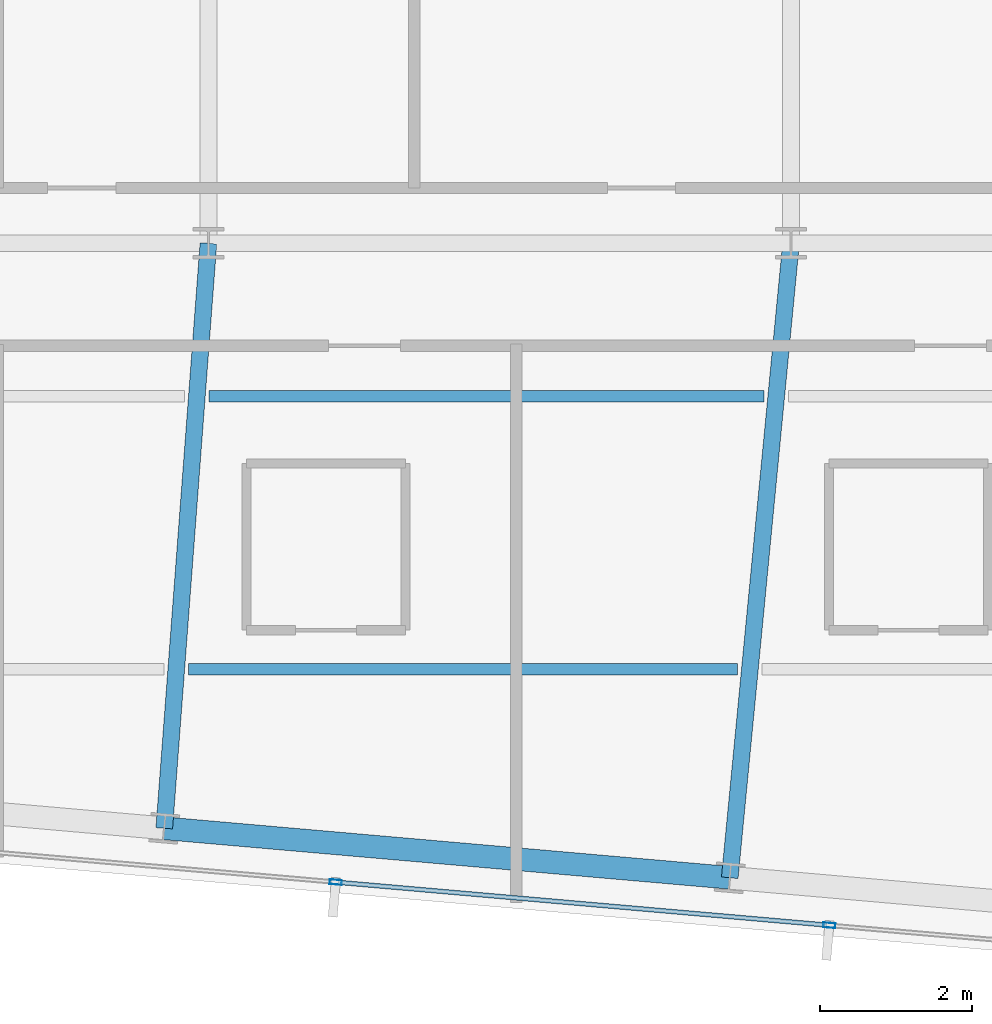
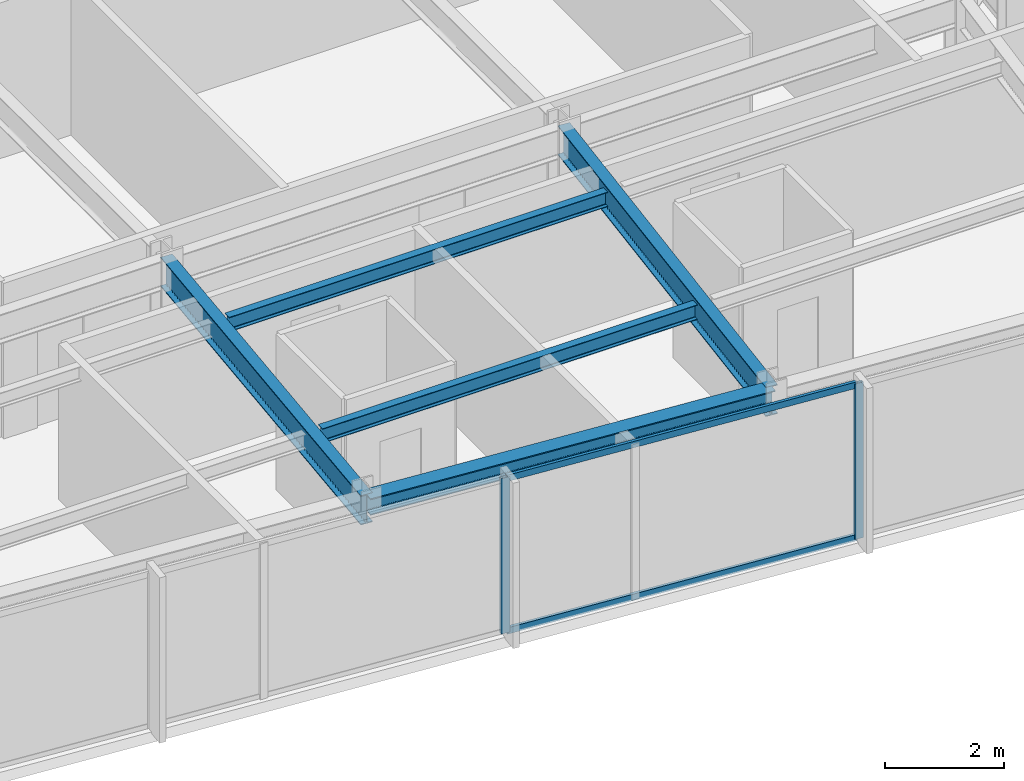
# One storey, part 13 of 33: 5 beams, 4 members, 1 element without a shape of its own.
"""IFC4 building model written with IfcOpenShell, lengths in metres."""

from ifc_helpers import new_model, si_unit, direction, frame, origin, origin_2d, place, context, subcontext, project, spatial, hollow_rectangle, i_section, extrude, material, material_profile, profile_set, type_object, element, aggregate, save


model = new_model("IFC4")

# Units and contexts
model_context = context("Model", 3, precision=1e-05, world=origin(), true_north=direction((0.0, 1.0)))
body_context = subcontext(model_context, "Body", "Model", "MODEL_VIEW")
ifc_project = project(units=[si_unit("LENGTHUNIT", "METRE"), si_unit("AREAUNIT", "SQUARE_METRE"), si_unit("VOLUMEUNIT", "CUBIC_METRE"), si_unit("PLANEANGLEUNIT", "RADIAN"), si_unit("MASSUNIT", "GRAM", prefix="KILO")], contexts=[model_context])

# Site, building, storey
site_placement = place(None, origin())
site = spatial("IfcSite", under=ifc_project, at=site_placement, CompositionType="ELEMENT")
building_placement = place(site_placement, origin())
building = spatial("IfcBuilding", under=site, at=building_placement, Name="Yelkora Congress Tower", CompositionType="ELEMENT")
storey_placement = place(building_placement, frame((0.0, 0.0, 282.89990234375)))
storey = spatial("IfcBuildingStorey", under=building, at=storey_placement, Name="L79", CompositionType="ELEMENT", Elevation=282.89990234375)

# Beams
ifc_material_1 = material(Name="Steel S355J2", Category="steel")
ifc_material_profile_1 = material_profile(ifc_material_1, i_section(OverallWidth=0.219970703125, OverallDepth=0.60009765625, WebThickness=0.011962890625, FlangeThickness=0.01904296875, FilletRadius=0.02392578125, at=origin_2d()), Name="IPE 600")
ifc_profile_set_1 = profile_set([ifc_material_profile_1], Name="Steel S355J2")
beam_type_1 = type_object("IfcBeamType", Name="BM-GIRD-IPE600", PredefinedType="BEAM", material=ifc_profile_set_1)
beam_1_placement = place(storey_placement, frame((37.8173828125, 17.489013671875, 2.880126953125), z_axis=(0.075329932006, 0.997158664077, 0.0), x_axis=(-0.997158664077, 0.075329932006, 0.0)))
element("IfcBeam", 1, at=beam_1_placement, inside=storey, type_object=beam_type_1, Name="L79 Primary Frame Girder S05", PredefinedType="BEAM", context=body_context, shape_type="SweptSolid", body=[
    extrude(i_section(OverallWidth=0.219970703125, OverallDepth=0.60009765625, WebThickness=0.011962890625, FlangeThickness=0.01904296875, FilletRadius=0.02392578125, at=origin_2d()), origin(), (0.0, 0.0, 1.0), 7.73291015625),
])
beam_2_placement = place(storey_placement, frame((45.2724609375, 16.836669921875, 2.880126953125), z_axis=(0.096119896563, 0.995369763196, 0.0), x_axis=(-0.995369763196, 0.096119896563, 0.0)))
element("IfcBeam", 2, at=beam_2_placement, inside=storey, type_object=beam_type_1, Name="L79 Primary Frame Girder S06", PredefinedType="BEAM", context=body_context, shape_type="SweptSolid", body=[
    extrude(i_section(OverallWidth=0.219970703125, OverallDepth=0.60009765625, WebThickness=0.011962890625, FlangeThickness=0.01904296875, FilletRadius=0.02392578125, at=origin_2d()), origin(), (0.0, 0.0, 1.0), 8.402099609375),
])
ifc_material_profile_2 = material_profile(ifc_material_1, i_section(OverallWidth=0.14990234375, OverallDepth=0.300048828125, WebThickness=0.007080078125, FlangeThickness=0.0107421875, FilletRadius=0.014892578125, at=origin_2d()), Name="IPE 300")
ifc_profile_set_2 = profile_set([ifc_material_profile_2], Name="Steel S355J2")
beam_type_2 = type_object("IfcBeamType", Name="BM-JOIST-IPE300", PredefinedType="JOIST", material=ifc_profile_set_2)
beam_3_placement = place(storey_placement, frame((38.1357421875, 19.58447265625, 3.030029296875), z_axis=(1.0, 0.0, 0.0), x_axis=(0.0, 1.0, 0.0)))
element("IfcBeam", 3, at=beam_3_placement, inside=storey, type_object=beam_type_2, Name="L79 Composite Floor Joist 3", PredefinedType="JOIST", context=body_context, shape_type="SweptSolid", body=[
    extrude(i_section(OverallWidth=0.14990234375, OverallDepth=0.300048828125, WebThickness=0.007080078125, FlangeThickness=0.0107421875, FilletRadius=0.014892578125, at=origin_2d()), origin(), (0.0, 0.0, 1.0), 7.241943359375),
])
beam_4_placement = place(storey_placement, frame((38.40771484375, 23.1845703125, 3.030029296875), z_axis=(1.0, 0.0, 0.0), x_axis=(0.0, 1.0, 0.0)))
element("IfcBeam", 4, at=beam_4_placement, inside=storey, type_object=beam_type_2, Name="L79 Composite Floor Joist 7", PredefinedType="JOIST", context=body_context, shape_type="SweptSolid", body=[
    extrude(i_section(OverallWidth=0.14990234375, OverallDepth=0.300048828125, WebThickness=0.007080078125, FlangeThickness=0.0107421875, FilletRadius=0.014892578125, at=origin_2d()), origin(), (0.0, 0.0, 1.0), 7.317626953125),
])
ifc_material_profile_3 = material_profile(ifc_material_1, i_section(OverallWidth=0.300048828125, OverallDepth=0.340087890625, WebThickness=0.011962890625, FlangeThickness=0.021484375, FilletRadius=0.027099609375, at=origin_2d()), Name="HEB 340")
ifc_profile_set_3 = profile_set([ifc_material_profile_3], Name="Steel S355J2")
beam_type_3 = type_object("IfcBeamType", Name="BM-SPAN-HEB340", PredefinedType="SPANDREL", material=ifc_profile_set_3)
beam_5_placement = place(storey_placement, frame((37.8173828125, 17.489013671875, 3.010009765625), z_axis=(0.996193434204, -0.08717018785, 0.0), x_axis=(0.08717018785, 0.996193434204, 0.0)))
element("IfcBeam", 5, at=beam_5_placement, inside=storey, type_object=beam_type_3, Name="L79 Perimeter Beam 5", PredefinedType="SPANDREL", context=body_context, shape_type="SweptSolid", body=[
    extrude(i_section(OverallWidth=0.300048828125, OverallDepth=0.340087890625, WebThickness=0.011962890625, FlangeThickness=0.021484375, FilletRadius=0.027099609375, at=origin_2d()), origin(), (0.0, 0.0, 1.0), 7.483642578125),
])

# Curtain wall, members
ifc_material_2 = material(Name="Anodised aluminium and insulated glass", Category="aluminium")
curtain_wall_type = type_object("IfcCurtainWallType", Name="CW-SYS-B5", PredefinedType="NOTDEFINED", material=ifc_material_2)
curtain_wall_placement = place(storey_placement, origin())
curtain_wall = element("IfcCurtainWall", 6, at=curtain_wall_placement, inside=storey, type_object=curtain_wall_type, Name="L79 Unitised Curtain Wall 20", PredefinedType="NOTDEFINED")
ifc_material_3 = material(Name="Anodised aluminium 6063-T6", Category="aluminium")
ifc_material_profile_4 = material_profile(ifc_material_3, hollow_rectangle(XDim=0.06494140625, YDim=0.159912109375, WallThickness=0.00390625, at=origin_2d()), Name="ALU 65x160x4")
ifc_profile_set_4 = profile_set([ifc_material_profile_4], Name="Anodised aluminium 6063-T6")
member_type_1 = type_object("IfcMemberType", Name="MEM-ML-B5", PredefinedType="MULLION", material=ifc_profile_set_4)
member_1_placement = place(storey_placement, frame((46.58447265625, 16.2099609375, 0.0), z_axis=(0.0, 0.0, 1.0), x_axis=(-0.087156829793, -0.996194602987, 0.0)))
member_1 = element("IfcMember", 7, at=member_1_placement, type_object=member_type_1, Name="CW-B5 mullion 2", PredefinedType="MULLION", context=body_context, shape_type="SweptSolid", body=[
    extrude(hollow_rectangle(XDim=0.06494140625, YDim=0.159912109375, WallThickness=0.00390625, at=origin_2d()), origin(), (0.0, 0.0, 1.0), 3.18017578125),
])
member_2_placement = place(storey_placement, frame((40.077880859375, 16.779296875, 0.0), z_axis=(0.0, 0.0, 1.0), x_axis=(-0.087156829793, -0.996194602987, 0.0)))
member_2 = element("IfcMember", 8, at=member_2_placement, type_object=member_type_1, Name="CW-B5 mullion 3", PredefinedType="MULLION", context=body_context, shape_type="SweptSolid", body=[
    extrude(hollow_rectangle(XDim=0.06494140625, YDim=0.159912109375, WallThickness=0.00390625, at=origin_2d()), origin(), (0.0, 0.0, 1.0), 3.18017578125),
])
ifc_material_profile_5 = material_profile(ifc_material_3, hollow_rectangle(XDim=0.06005859375, YDim=0.1298828125, WallThickness=0.00390625, at=origin_2d()), Name="ALU 60x130x4")
ifc_profile_set_5 = profile_set([ifc_material_profile_5], Name="Anodised aluminium 6063-T6")
member_type_2 = type_object("IfcMemberType", Name="MEM-TR-B5", PredefinedType="USERDEFINED", material=ifc_profile_set_5)
member_3_placement = place(storey_placement, frame((46.55224609375, 16.212890625, 0.030029296875), z_axis=(-0.996196257862, 0.087137912649, 0.0), x_axis=(-0.087137912649, -0.996196257862, 0.0)))
member_3 = element("IfcMember", 9, at=member_3_placement, type_object=member_type_2, Name="CW-B5 transom 2.1", ObjectType="TRANSOM", PredefinedType="USERDEFINED", context=body_context, shape_type="SweptSolid", body=[
    extrude(hollow_rectangle(XDim=0.06005859375, YDim=0.1298828125, WallThickness=0.00390625, at=origin_2d()), origin(), (0.0, 0.0, 1.0), 6.466552734375),
])
member_4_placement = place(storey_placement, frame((46.55224609375, 16.212890625, 3.150146484375), z_axis=(-0.996196257862, 0.087137912649, 0.0), x_axis=(-0.087137912649, -0.996196257862, 0.0)))
member_4 = element("IfcMember", 10, at=member_4_placement, type_object=member_type_2, Name="CW-B5 transom 2.2", ObjectType="TRANSOM", PredefinedType="USERDEFINED", context=body_context, shape_type="SweptSolid", body=[
    extrude(hollow_rectangle(XDim=0.06005859375, YDim=0.1298828125, WallThickness=0.00390625, at=origin_2d()), origin(), (0.0, 0.0, 1.0), 6.466552734375),
])
aggregate(curtain_wall, [member_1, member_2, member_3, member_4])

save(model, "model.ifc")
